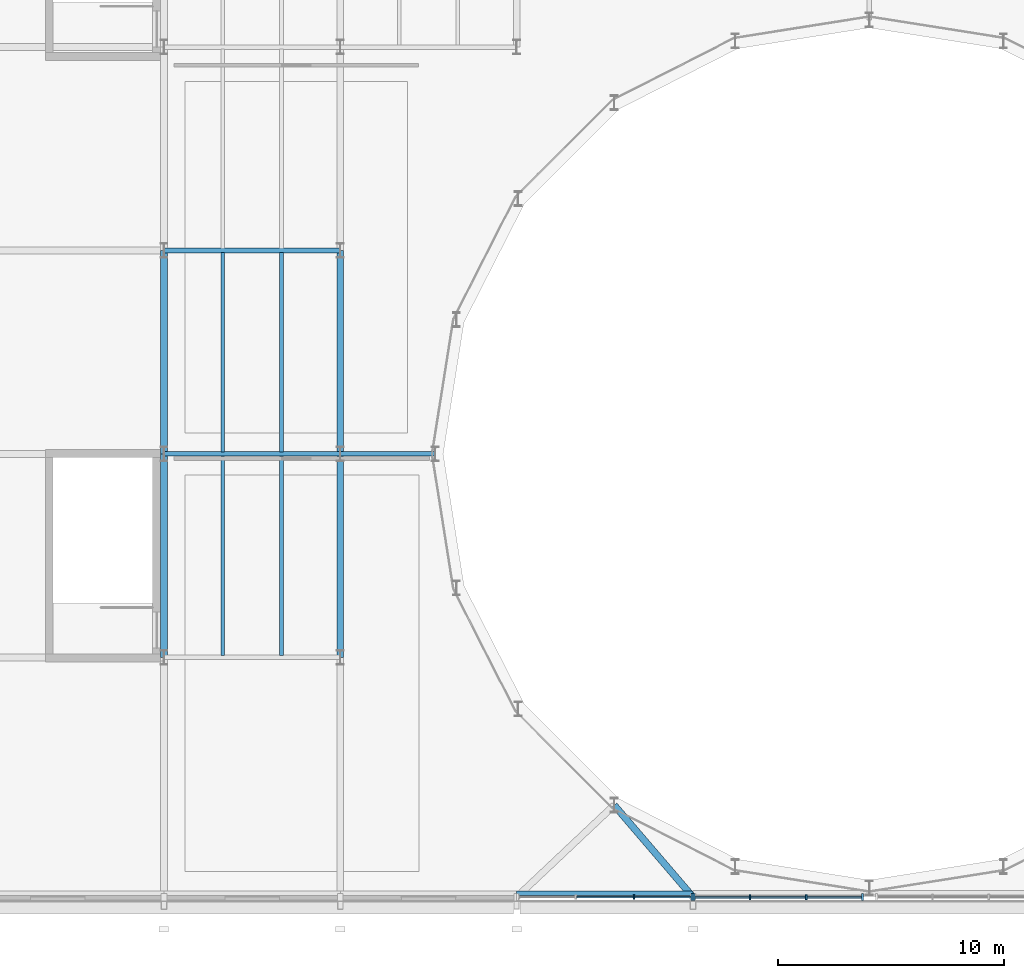
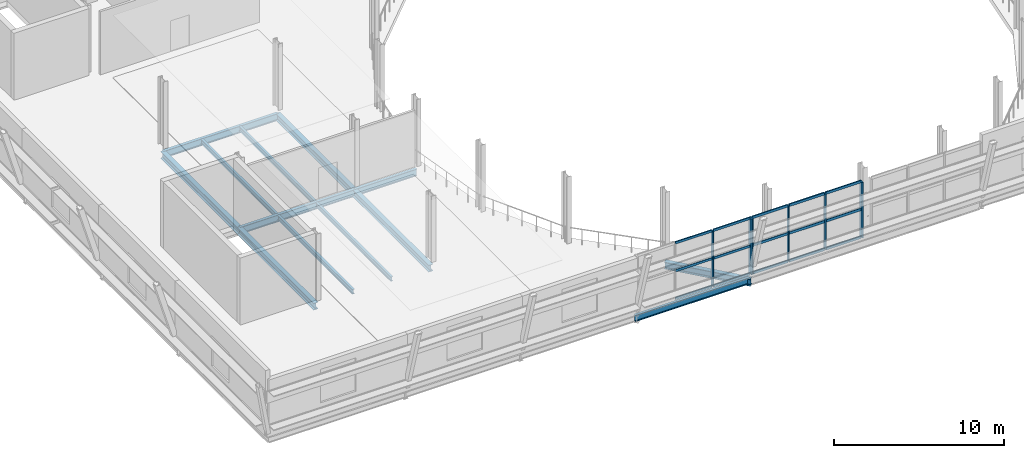
# One storey, part 16 of 63: 21 members, 13 beams, 2 elements without a shape of their own.
"""IFC4 building model written with IfcOpenShell, lengths in metres."""

from ifc_helpers import new_model, si_unit, direction, frame, origin, origin_2d, place, context, subcontext, project, spatial, rectangle, i_section, extrude, material, layer, layer_set, material_profile, profile_set, type_object, element, aggregate, save


model = new_model("IFC4")

# Units and contexts
model_context = context("Model", 3, precision=1e-05, world=origin(), true_north=direction((0.0, 1.0)))
body_context = subcontext(model_context, "Body", "Model", "MODEL_VIEW")
ifc_project = project(units=[si_unit("LENGTHUNIT", "METRE"), si_unit("AREAUNIT", "SQUARE_METRE"), si_unit("VOLUMEUNIT", "CUBIC_METRE"), si_unit("PLANEANGLEUNIT", "RADIAN"), si_unit("MASSUNIT", "GRAM", prefix="KILO")], contexts=[model_context])

# Site, building, storey
site_placement = place(None, origin())
site = spatial("IfcSite", under=ifc_project, at=site_placement, CompositionType="ELEMENT")
building_placement = place(site_placement, origin())
building = spatial("IfcBuilding", under=site, at=building_placement, Name="Sefraquen Railside Congress Hotel", CompositionType="ELEMENT")
storey_placement = place(building_placement, frame((0.0, 0.0, 11.39990234375)))
storey = spatial("IfcBuildingStorey", under=building, at=storey_placement, Name="L02", CompositionType="ELEMENT", Elevation=11.39990234375)

# Beams
ifc_material_1 = material(Name="Steel S355JR", Category="steel")
ifc_material_profile_1 = material_profile(ifc_material_1, i_section(OverallWidth=0.18994140625, OverallDepth=0.449951171875, WebThickness=0.009521484375, FlangeThickness=0.0146484375, FilletRadius=0.02099609375, at=origin_2d()), Name="IPE 450")
ifc_profile_set_1 = profile_set([ifc_material_profile_1], Name="Steel S355JR")
beam_type_1 = type_object("IfcBeamType", Name="TB-BM-450", PredefinedType="BEAM", material=ifc_profile_set_1)
beam_1_placement = place(storey_placement, frame((48.60009765625, 7.57080078125, -0.574951171875), z_axis=(1.0, 0.0, 0.0), x_axis=(0.0, 1.0, 0.0)))
element("IfcBeam", 1, at=beam_1_placement, inside=storey, type_object=beam_type_1, Name="Congress leaning-hull south edge beam L02-04", PredefinedType="BEAM", context=body_context, shape_type="SweptSolid", body=[
    extrude(i_section(OverallWidth=0.18994140625, OverallDepth=0.449951171875, WebThickness=0.009521484375, FlangeThickness=0.0146484375, FilletRadius=0.02099609375, at=origin_2d()), origin(), (0.0, 0.0, 1.0), 7.7998046875),
])
ifc_material_profile_2 = material_profile(ifc_material_1, i_section(OverallWidth=0.199951171875, OverallDepth=0.5, WebThickness=0.01025390625, FlangeThickness=0.01611328125, FilletRadius=0.02099609375, at=origin_2d()), Name="IPE 500")
ifc_profile_set_2 = profile_set([ifc_material_profile_2], Name="Steel S355JR")
beam_type_2 = type_object("IfcBeamType", Name="TB-BM-500", PredefinedType="BEAM", material=ifc_profile_set_2)
beam_2_placement = place(storey_placement, frame((33.0, 27.0, -0.599853515625), z_axis=(1.0, 0.0, 0.0), x_axis=(0.0, 1.0, 0.0)))
element("IfcBeam", 2, at=beam_2_placement, inside=storey, type_object=beam_type_2, Name="Primary girder BM-L02-0690", PredefinedType="BEAM", context=body_context, shape_type="SweptSolid", body=[
    extrude(i_section(OverallWidth=0.199951171875, OverallDepth=0.5, WebThickness=0.01025390625, FlangeThickness=0.01611328125, FilletRadius=0.02099609375, at=origin_2d()), origin(), (0.0, 0.0, 1.0), 7.800048828125),
])
beam_3_placement = place(storey_placement, frame((40.800048828125, 27.0, -0.599853515625), z_axis=(1.0, 0.0, 0.0), x_axis=(0.0, 1.0, 0.0)))
element("IfcBeam", 3, at=beam_3_placement, inside=storey, type_object=beam_type_2, Name="Primary girder BM-L02-0691", PredefinedType="BEAM", context=body_context, shape_type="SweptSolid", body=[
    extrude(i_section(OverallWidth=0.199951171875, OverallDepth=0.5, WebThickness=0.01025390625, FlangeThickness=0.01611328125, FilletRadius=0.02099609375, at=origin_2d()), origin(), (0.0, 0.0, 1.0), 4.199951171875),
])
beam_4_placement = place(storey_placement, frame((33.0, 36.0, -0.599853515625), z_axis=(1.0, 0.0, 0.0), x_axis=(0.0, 1.0, 0.0)))
element("IfcBeam", 4, at=beam_4_placement, inside=storey, type_object=beam_type_2, Name="Primary girder BM-L02-0696", PredefinedType="BEAM", context=body_context, shape_type="SweptSolid", body=[
    extrude(i_section(OverallWidth=0.199951171875, OverallDepth=0.5, WebThickness=0.01025390625, FlangeThickness=0.01611328125, FilletRadius=0.02099609375, at=origin_2d()), origin(), (0.0, 0.0, 1.0), 7.800048828125),
])
ifc_material_profile_3 = material_profile(ifc_material_1, i_section(OverallWidth=0.300048828125, OverallDepth=0.489990234375, WebThickness=0.011962890625, FlangeThickness=0.02294921875, FilletRadius=0.027099609375, at=origin_2d()), Name="HEA 500")
ifc_profile_set_3 = profile_set([ifc_material_profile_3], Name="Steel S355JR")
beam_type_3 = type_object("IfcBeamType", Name="TB-GIR-500", PredefinedType="T_BEAM", material=ifc_profile_set_3)
for number, where, z_axis, x_axis, name in (
    (5, (33.0, 18.0, -0.594970703125), (0.0, 1.0, 0.0), (-1.0, 0.0, 0.0), "Floor beam BM-L02-0856"),
    (6, (33.0, 27.0, -0.594970703125), (0.0, 1.0, 0.0), (-1.0, 0.0, 0.0), "Floor beam BM-L02-0857"),
    (7, (40.800048828125, 18.0, -0.594970703125), (0.0, 1.0, 0.0), (-1.0, 0.0, 0.0), "Floor beam BM-L02-0868"),
    (8, (40.800048828125, 27.0, -0.594970703125), (0.0, 1.0, 0.0), (-1.0, 0.0, 0.0), "Floor beam BM-L02-0869"),
):
    element("IfcBeam", number, at=place(storey_placement, frame(where, z_axis=z_axis, x_axis=x_axis)), inside=storey, type_object=beam_type_3, Name=name, PredefinedType="T_BEAM", context=body_context, shape_type="SweptSolid", body=[
        extrude(i_section(OverallWidth=0.300048828125, OverallDepth=0.489990234375, WebThickness=0.011962890625, FlangeThickness=0.02294921875, FilletRadius=0.027099609375, at=origin_2d()), origin(), (0.0, 0.0, 1.0), 9.0),
    ])
beam_5_placement = place(storey_placement, frame((56.39990234375, 7.400390625, -0.594970703125), z_axis=(-0.65077635698, 0.759269473372, 0.0), x_axis=(-0.759269473372, -0.65077635698, 0.0)))
element("IfcBeam", 9, at=beam_5_placement, inside=storey, type_object=beam_type_3, Name="Congress leaning-hull diaphragm tie girder S-8 L02", PredefinedType="T_BEAM", context=body_context, shape_type="SweptSolid", body=[
    extrude(i_section(OverallWidth=0.300048828125, OverallDepth=0.489990234375, WebThickness=0.011962890625, FlangeThickness=0.02294921875, FilletRadius=0.027099609375, at=origin_2d()), origin(), (0.0, 0.0, 1.0), 5.355712890625),
])
ifc_material_profile_4 = material_profile(ifc_material_1, i_section(OverallWidth=0.159912109375, OverallDepth=0.330078125, WebThickness=0.007568359375, FlangeThickness=0.011474609375, FilletRadius=0.01806640625, at=origin_2d()), Name="IPE 330")
ifc_profile_set_4 = profile_set([ifc_material_profile_4], Name="Steel S355JR")
beam_type_4 = type_object("IfcBeamType", Name="TB-JST-330", PredefinedType="JOIST", material=ifc_profile_set_4)
for number, where, z_axis, x_axis, name in (
    (10, (35.60009765625, 18.080078125, -0.514892578125), (0.0, 1.0, 0.0), (-1.0, 0.0, 0.0), "Composite floor joist BM-L02-J0458"),
    (11, (38.199951171875, 18.080078125, -0.514892578125), (0.0, 1.0, 0.0), (-1.0, 0.0, 0.0), "Composite floor joist BM-L02-J0459"),
    (12, (35.60009765625, 27.080078125, -0.514892578125), (0.0, 1.0, 0.0), (-1.0, 0.0, 0.0), "Composite floor joist BM-L02-J0460"),
    (13, (38.199951171875, 27.080078125, -0.514892578125), (0.0, 1.0, 0.0), (-1.0, 0.0, 0.0), "Composite floor joist BM-L02-J0461"),
):
    element("IfcBeam", number, at=place(storey_placement, frame(where, z_axis=z_axis, x_axis=x_axis)), inside=storey, type_object=beam_type_4, Name=name, PredefinedType="JOIST", context=body_context, shape_type="SweptSolid", body=[
        extrude(i_section(OverallWidth=0.159912109375, OverallDepth=0.330078125, WebThickness=0.007568359375, FlangeThickness=0.011474609375, FilletRadius=0.01806640625, at=origin_2d()), origin(), (0.0, 0.0, 1.0), 8.83984375),
    ])

# Curtain wall, member
ifc_material_2 = material(Name="Thermally broken anodised aluminium and low-E double glazing", Category="aluminium")
ifc_layer_1 = layer(ifc_material_2, 0.199951171875)
ifc_layer_set_1 = layer_set([ifc_layer_1], Name="Thermally broken anodised aluminium and low-E double glazing")
curtain_wall_type_1 = type_object("IfcCurtainWallType", Name="TCW-UCW-20", PredefinedType="USERDEFINED", material=ifc_layer_set_1)
curtain_wall_1_placement = place(storey_placement, origin())
curtain_wall_1 = element("IfcCurtainWall", 14, at=curtain_wall_1_placement, inside=storey, type_object=curtain_wall_type_1, Name="Congress leaning south curtain wall L02-4", ObjectType="UNITISED CURTAIN WALL", PredefinedType="USERDEFINED")
ifc_material_3 = material(Name="Thermally broken anodised aluminium 6063-T6", Category="aluminium")
ifc_material_profile_5 = material_profile(ifc_material_3, rectangle(XDim=0.070068359375, YDim=0.199951171875, at=origin_2d()), Name="CWM 70x200")
ifc_profile_set_5 = profile_set([ifc_material_profile_5], Name="Thermally broken anodised aluminium 6063-T6")
member_type_1 = type_object("IfcMemberType", Name="TM-CWM-03", PredefinedType="MULLION", material=ifc_profile_set_5)
member_1_placement = place(storey_placement, frame((53.78662109375, 7.400390625, 0.0), z_axis=(0.0, 0.0, 1.0), x_axis=(1.0, 0.0, 0.0)))
member_1 = element("IfcMember", 15, at=member_1_placement, type_object=member_type_1, Name="CW-L02-052 mullion 3", PredefinedType="MULLION", context=body_context, shape_type="SweptSolid", body=[
    extrude(rectangle(XDim=0.070068359375, YDim=0.199951171875, at=origin_2d()), origin(), (0.0, 0.0, 1.0), 3.989990234375),
])

# Curtain wall, members
ifc_layer_2 = layer(ifc_material_2, 0.199951171875)
ifc_layer_set_2 = layer_set([ifc_layer_2], Name="Thermally broken anodised aluminium and low-E double glazing")
curtain_wall_type_2 = type_object("IfcCurtainWallType", Name="TCW-UCW-21", PredefinedType="USERDEFINED", material=ifc_layer_set_2)
curtain_wall_2_placement = place(storey_placement, origin())
curtain_wall_2 = element("IfcCurtainWall", 16, at=curtain_wall_2_placement, inside=storey, type_object=curtain_wall_type_2, Name="Congress leaning south curtain wall L02-5", ObjectType="UNITISED CURTAIN WALL", PredefinedType="USERDEFINED")
ifc_material_profile_6 = material_profile(ifc_material_3, rectangle(XDim=0.074951171875, YDim=0.219970703125, at=origin_2d()), Name="CWM 75x220")
ifc_profile_set_6 = profile_set([ifc_material_profile_6], Name="Thermally broken anodised aluminium 6063-T6")
member_type_2 = type_object("IfcMemberType", Name="TM-CWM-04", PredefinedType="MULLION", material=ifc_profile_set_6)
member_2_placement = place(storey_placement, frame((58.92333984375, 7.400390625, 0.0), z_axis=(0.0, 0.0, 1.0), x_axis=(1.0, 0.0, 0.0)))
member_2 = element("IfcMember", 17, at=member_2_placement, type_object=member_type_2, Name="CW-L02-053 mullion 2", PredefinedType="MULLION", context=body_context, shape_type="SweptSolid", body=[
    extrude(rectangle(XDim=0.074951171875, YDim=0.219970703125, at=origin_2d()), origin(), (0.0, 0.0, 1.0), 3.989990234375),
])
member_3_placement = place(storey_placement, frame((61.40673828125, 7.400390625, 0.0), z_axis=(0.0, 0.0, 1.0), x_axis=(1.0, 0.0, 0.0)))
member_3 = element("IfcMember", 18, at=member_3_placement, type_object=member_type_2, Name="CW-L02-053 mullion 3", PredefinedType="MULLION", context=body_context, shape_type="SweptSolid", body=[
    extrude(rectangle(XDim=0.074951171875, YDim=0.219970703125, at=origin_2d()), origin(), (0.0, 0.0, 1.0), 3.989990234375),
])

# Member
ifc_material_profile_7 = material_profile(ifc_material_3, rectangle(XDim=0.094970703125, YDim=0.300048828125, at=origin_2d()), Name="CWM 95x300")
ifc_profile_set_7 = profile_set([ifc_material_profile_7], Name="Thermally broken anodised aluminium 6063-T6")
member_type_3 = type_object("IfcMemberType", Name="TM-CWM-08", PredefinedType="MULLION", material=ifc_profile_set_7)
member_4_placement = place(storey_placement, frame((56.360107421875, 7.400390625, 0.0), z_axis=(0.0, 0.0, 1.0), x_axis=(1.0, 0.0, 0.0)))
member_4 = element("IfcMember", 19, at=member_4_placement, type_object=member_type_3, Name="CW-L02-052 mullion 4", PredefinedType="MULLION", context=body_context, shape_type="SweptSolid", body=[
    extrude(rectangle(XDim=0.094970703125, YDim=0.300048828125, at=origin_2d()), origin(), (0.0, 0.0, 1.0), 3.989990234375),
])

member_5_placement = place(storey_placement, frame((56.43994140625, 7.400390625, 0.0), z_axis=(0.0, 0.0, 1.0), x_axis=(1.0, 0.0, 0.0)))
member_5 = element("IfcMember", 20, at=member_5_placement, type_object=member_type_3, Name="CW-L02-053 mullion 1", PredefinedType="MULLION", context=body_context, shape_type="SweptSolid", body=[
    extrude(rectangle(XDim=0.094970703125, YDim=0.300048828125, at=origin_2d()), origin(), (0.0, 0.0, 1.0), 3.989990234375),
])

member_6_placement = place(storey_placement, frame((63.889892578125, 7.400390625, 0.0), z_axis=(0.0, 0.0, 1.0), x_axis=(1.0, 0.0, 0.0)))
member_6 = element("IfcMember", 21, at=member_6_placement, type_object=member_type_3, Name="CW-L02-053 mullion 4", PredefinedType="MULLION", context=body_context, shape_type="SweptSolid", body=[
    extrude(rectangle(XDim=0.094970703125, YDim=0.300048828125, at=origin_2d()), origin(), (0.0, 0.0, 1.0), 3.989990234375),
])

ifc_material_profile_8 = material_profile(ifc_material_3, rectangle(XDim=0.074951171875, YDim=0.1650390625, at=origin_2d()), Name="CWT 75x165")
ifc_profile_set_8 = profile_set([ifc_material_profile_8], Name="Thermally broken anodised aluminium 6063-T6")
member_type_4 = type_object("IfcMemberType", Name="TM-CWT-04", PredefinedType="USERDEFINED", material=ifc_profile_set_8)
member_7_placement = place(storey_placement, frame((51.25830078125, 7.400390625, 0.0), z_axis=(1.0, 0.0, 0.0), x_axis=(0.0, 1.0, 0.0)))
member_7 = element("IfcMember", 22, at=member_7_placement, type_object=member_type_4, Name="CW-L02-052 transom 1.2", ObjectType="TRANSOM", PredefinedType="USERDEFINED", context=body_context, shape_type="SweptSolid", body=[
    extrude(rectangle(XDim=0.074951171875, YDim=0.1650390625, at=origin_2d()), origin(), (0.0, 0.0, 1.0), 2.4833984375),
])

member_8_placement = place(storey_placement, frame((53.831787109375, 7.400390625, 0.0), z_axis=(1.0, 0.0, 0.0), x_axis=(0.0, 1.0, 0.0)))
member_8 = element("IfcMember", 23, at=member_8_placement, type_object=member_type_4, Name="CW-L02-052 transom 1.3", ObjectType="TRANSOM", PredefinedType="USERDEFINED", context=body_context, shape_type="SweptSolid", body=[
    extrude(rectangle(XDim=0.074951171875, YDim=0.1650390625, at=origin_2d()), origin(), (0.0, 0.0, 1.0), 2.483154296875),
])

member_9_placement = place(storey_placement, frame((51.25830078125, 7.400390625, 1.9951171875), z_axis=(1.0, 0.0, 0.0), x_axis=(0.0, 1.0, 0.0)))
member_9 = element("IfcMember", 24, at=member_9_placement, type_object=member_type_4, Name="CW-L02-052 transom 2.2", ObjectType="TRANSOM", PredefinedType="USERDEFINED", context=body_context, shape_type="SweptSolid", body=[
    extrude(rectangle(XDim=0.074951171875, YDim=0.1650390625, at=origin_2d()), origin(), (0.0, 0.0, 1.0), 2.4833984375),
])

member_10_placement = place(storey_placement, frame((53.831787109375, 7.400390625, 1.9951171875), z_axis=(1.0, 0.0, 0.0), x_axis=(0.0, 1.0, 0.0)))
member_10 = element("IfcMember", 25, at=member_10_placement, type_object=member_type_4, Name="CW-L02-052 transom 2.3", ObjectType="TRANSOM", PredefinedType="USERDEFINED", context=body_context, shape_type="SweptSolid", body=[
    extrude(rectangle(XDim=0.074951171875, YDim=0.1650390625, at=origin_2d()), origin(), (0.0, 0.0, 1.0), 2.483154296875),
])

member_11_placement = place(storey_placement, frame((51.25830078125, 7.400390625, 3.989990234375), z_axis=(1.0, 0.0, 0.0), x_axis=(0.0, 1.0, 0.0)))
member_11 = element("IfcMember", 26, at=member_11_placement, type_object=member_type_4, Name="CW-L02-052 transom 3.2", ObjectType="TRANSOM", PredefinedType="USERDEFINED", context=body_context, shape_type="SweptSolid", body=[
    extrude(rectangle(XDim=0.074951171875, YDim=0.1650390625, at=origin_2d()), origin(), (0.0, 0.0, 1.0), 2.4833984375),
])

member_12_placement = place(storey_placement, frame((53.831787109375, 7.400390625, 3.989990234375), z_axis=(1.0, 0.0, 0.0), x_axis=(0.0, 1.0, 0.0)))
member_12 = element("IfcMember", 27, at=member_12_placement, type_object=member_type_4, Name="CW-L02-052 transom 3.3", ObjectType="TRANSOM", PredefinedType="USERDEFINED", context=body_context, shape_type="SweptSolid", body=[
    extrude(rectangle(XDim=0.074951171875, YDim=0.1650390625, at=origin_2d()), origin(), (0.0, 0.0, 1.0), 2.483154296875),
])

aggregate(curtain_wall_1, [member_1, member_4, member_7, member_8, member_9, member_10, member_11, member_12])

ifc_material_profile_9 = material_profile(ifc_material_3, rectangle(XDim=0.080078125, YDim=0.179931640625, at=origin_2d()), Name="CWT 80x180")
ifc_profile_set_9 = profile_set([ifc_material_profile_9], Name="Thermally broken anodised aluminium 6063-T6")
member_type_5 = type_object("IfcMemberType", Name="TM-CWT-05", PredefinedType="USERDEFINED", material=ifc_profile_set_9)
member_13_placement = place(storey_placement, frame((56.485107421875, 7.400390625, 0.0), z_axis=(1.0, 0.0, 0.0), x_axis=(0.0, 1.0, 0.0)))
member_13 = element("IfcMember", 28, at=member_13_placement, type_object=member_type_5, Name="CW-L02-053 transom 1.1", ObjectType="TRANSOM", PredefinedType="USERDEFINED", context=body_context, shape_type="SweptSolid", body=[
    extrude(rectangle(XDim=0.080078125, YDim=0.179931640625, at=origin_2d()), origin(), (0.0, 0.0, 1.0), 2.393310546875),
])

member_14_placement = place(storey_placement, frame((58.96826171875, 7.400390625, 0.0), z_axis=(1.0, 0.0, 0.0), x_axis=(0.0, 1.0, 0.0)))
member_14 = element("IfcMember", 29, at=member_14_placement, type_object=member_type_5, Name="CW-L02-053 transom 1.2", ObjectType="TRANSOM", PredefinedType="USERDEFINED", context=body_context, shape_type="SweptSolid", body=[
    extrude(rectangle(XDim=0.080078125, YDim=0.179931640625, at=origin_2d()), origin(), (0.0, 0.0, 1.0), 2.3935546875),
])

member_15_placement = place(storey_placement, frame((61.45166015625, 7.400390625, 0.0), z_axis=(1.0, 0.0, 0.0), x_axis=(0.0, 1.0, 0.0)))
member_15 = element("IfcMember", 30, at=member_15_placement, type_object=member_type_5, Name="CW-L02-053 transom 1.3", ObjectType="TRANSOM", PredefinedType="USERDEFINED", context=body_context, shape_type="SweptSolid", body=[
    extrude(rectangle(XDim=0.080078125, YDim=0.179931640625, at=origin_2d()), origin(), (0.0, 0.0, 1.0), 2.393310546875),
])

member_16_placement = place(storey_placement, frame((56.485107421875, 7.400390625, 1.9951171875), z_axis=(1.0, 0.0, 0.0), x_axis=(0.0, 1.0, 0.0)))
member_16 = element("IfcMember", 31, at=member_16_placement, type_object=member_type_5, Name="CW-L02-053 transom 2.1", ObjectType="TRANSOM", PredefinedType="USERDEFINED", context=body_context, shape_type="SweptSolid", body=[
    extrude(rectangle(XDim=0.080078125, YDim=0.179931640625, at=origin_2d()), origin(), (0.0, 0.0, 1.0), 2.393310546875),
])

member_17_placement = place(storey_placement, frame((58.96826171875, 7.400390625, 1.9951171875), z_axis=(1.0, 0.0, 0.0), x_axis=(0.0, 1.0, 0.0)))
member_17 = element("IfcMember", 32, at=member_17_placement, type_object=member_type_5, Name="CW-L02-053 transom 2.2", ObjectType="TRANSOM", PredefinedType="USERDEFINED", context=body_context, shape_type="SweptSolid", body=[
    extrude(rectangle(XDim=0.080078125, YDim=0.179931640625, at=origin_2d()), origin(), (0.0, 0.0, 1.0), 2.3935546875),
])

member_18_placement = place(storey_placement, frame((61.45166015625, 7.400390625, 1.9951171875), z_axis=(1.0, 0.0, 0.0), x_axis=(0.0, 1.0, 0.0)))
member_18 = element("IfcMember", 33, at=member_18_placement, type_object=member_type_5, Name="CW-L02-053 transom 2.3", ObjectType="TRANSOM", PredefinedType="USERDEFINED", context=body_context, shape_type="SweptSolid", body=[
    extrude(rectangle(XDim=0.080078125, YDim=0.179931640625, at=origin_2d()), origin(), (0.0, 0.0, 1.0), 2.393310546875),
])

member_19_placement = place(storey_placement, frame((56.485107421875, 7.400390625, 3.989990234375), z_axis=(1.0, 0.0, 0.0), x_axis=(0.0, 1.0, 0.0)))
member_19 = element("IfcMember", 34, at=member_19_placement, type_object=member_type_5, Name="CW-L02-053 transom 3.1", ObjectType="TRANSOM", PredefinedType="USERDEFINED", context=body_context, shape_type="SweptSolid", body=[
    extrude(rectangle(XDim=0.080078125, YDim=0.179931640625, at=origin_2d()), origin(), (0.0, 0.0, 1.0), 2.393310546875),
])

member_20_placement = place(storey_placement, frame((58.96826171875, 7.400390625, 3.989990234375), z_axis=(1.0, 0.0, 0.0), x_axis=(0.0, 1.0, 0.0)))
member_20 = element("IfcMember", 35, at=member_20_placement, type_object=member_type_5, Name="CW-L02-053 transom 3.2", ObjectType="TRANSOM", PredefinedType="USERDEFINED", context=body_context, shape_type="SweptSolid", body=[
    extrude(rectangle(XDim=0.080078125, YDim=0.179931640625, at=origin_2d()), origin(), (0.0, 0.0, 1.0), 2.3935546875),
])

member_21_placement = place(storey_placement, frame((61.45166015625, 7.400390625, 3.989990234375), z_axis=(1.0, 0.0, 0.0), x_axis=(0.0, 1.0, 0.0)))
member_21 = element("IfcMember", 36, at=member_21_placement, type_object=member_type_5, Name="CW-L02-053 transom 3.3", ObjectType="TRANSOM", PredefinedType="USERDEFINED", context=body_context, shape_type="SweptSolid", body=[
    extrude(rectangle(XDim=0.080078125, YDim=0.179931640625, at=origin_2d()), origin(), (0.0, 0.0, 1.0), 2.393310546875),
])

aggregate(curtain_wall_2, [member_5, member_2, member_3, member_6, member_13, member_14, member_15, member_16, member_17, member_18, member_19, member_20, member_21])

save(model, "model.ifc")
